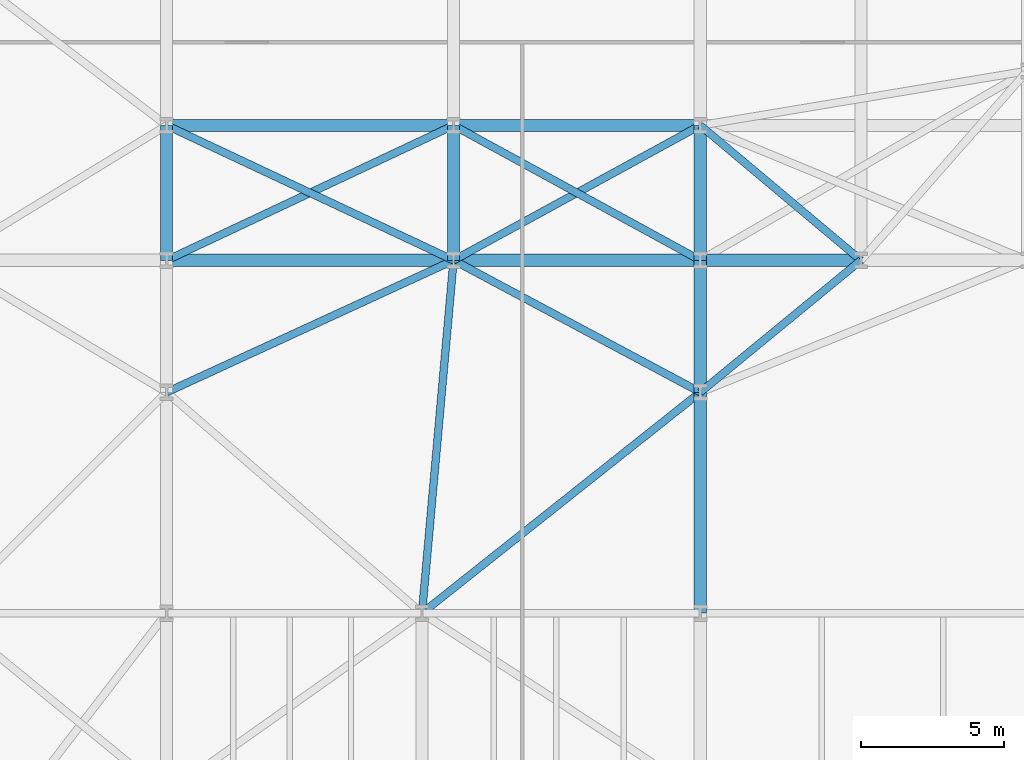
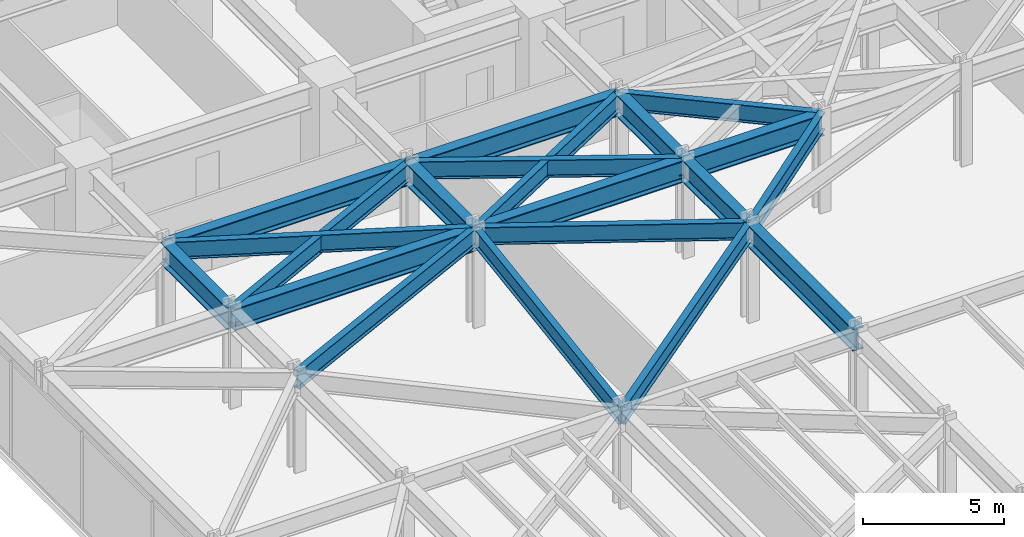
# One storey, part 11 of 28: 20 beams.
"""IFC4 building model written with IfcOpenShell, lengths in metres."""

from ifc_helpers import new_model, si_unit, direction, frame, origin, origin_2d, place, context, subcontext, project, spatial, i_section, extrude, material, material_profile, profile_set, type_object, element, save


model = new_model("IFC4")

# Units and contexts
model_context = context("Model", 3, precision=1e-05, world=origin(), true_north=direction((0.0, 1.0)))
body_context = subcontext(model_context, "Body", "Model", "MODEL_VIEW")
ifc_project = project(units=[si_unit("LENGTHUNIT", "METRE"), si_unit("AREAUNIT", "SQUARE_METRE"), si_unit("VOLUMEUNIT", "CUBIC_METRE"), si_unit("PLANEANGLEUNIT", "RADIAN"), si_unit("MASSUNIT", "GRAM", prefix="KILO")], contexts=[model_context])

# Site, building, storey
site_placement = place(None, origin())
site = spatial("IfcSite", under=ifc_project, at=site_placement, CompositionType="ELEMENT")
building_placement = place(site_placement, origin())
building = spatial("IfcBuilding", under=site, at=building_placement, Name="Kravanh Interchange Tower", CompositionType="ELEMENT")
storey_placement = place(building_placement, frame((0.0, 0.0, 15.300048828125)))
storey = spatial("IfcBuildingStorey", under=building, at=storey_placement, Name="L03", CompositionType="ELEMENT", Elevation=15.300048828125)

# Beams
ifc_material_1 = material(Name="Structural Steel S450", Category="steel")
ifc_material_profile_1 = material_profile(ifc_material_1, i_section(OverallWidth=0.423095703125, OverallDepth=0.947998046875, WebThickness=0.02392578125, FlangeThickness=0.042724609375, FilletRadius=0.028076171875, at=origin_2d()), Name="W36X302")
ifc_profile_set_1 = profile_set([ifc_material_profile_1], Name="Structural Steel S450")
beam_type_1 = type_object("IfcBeamType", Name="Floor Beam W36X302 Structural Steel S450", PredefinedType="BEAM", material=ifc_profile_set_1)
beam_1_placement = place(storey_placement, frame((27.199951171875, 14.5, 3.755859375), z_axis=(0.0, 1.0, 0.0), x_axis=(-1.0, 0.0, 0.0)))
element("IfcBeam", 1, at=beam_1_placement, inside=storey, type_object=beam_type_1, Name="L03 Primary Floor Girder 45", PredefinedType="BEAM", context=body_context, shape_type="SweptSolid", body=[
    extrude(i_section(OverallWidth=0.423095703125, OverallDepth=0.947998046875, WebThickness=0.02392578125, FlangeThickness=0.042724609375, FilletRadius=0.028076171875, at=origin_2d()), origin(), (0.0, 0.0, 1.0), 7.699951171875),
])
beam_2_placement = place(storey_placement, frame((27.199951171875, 22.199951171875, 3.755859375), z_axis=(0.0, 1.0, 0.0), x_axis=(-1.0, 0.0, 0.0)))
element("IfcBeam", 2, at=beam_2_placement, inside=storey, type_object=beam_type_1, Name="L03 Primary Floor Girder 61", PredefinedType="BEAM", context=body_context, shape_type="SweptSolid", body=[
    extrude(i_section(OverallWidth=0.423095703125, OverallDepth=0.947998046875, WebThickness=0.02392578125, FlangeThickness=0.042724609375, FilletRadius=0.028076171875, at=origin_2d()), origin(), (0.0, 0.0, 1.0), 4.60009765625),
])
beam_3_placement = place(storey_placement, frame((8.60009765625, 26.800048828125, 3.755859375), z_axis=(0.0, 1.0, 0.0), x_axis=(-1.0, 0.0, 0.0)))
element("IfcBeam", 3, at=beam_3_placement, inside=storey, type_object=beam_type_1, Name="L03 Primary Floor Girder 73", PredefinedType="BEAM", context=body_context, shape_type="SweptSolid", body=[
    extrude(i_section(OverallWidth=0.423095703125, OverallDepth=0.947998046875, WebThickness=0.02392578125, FlangeThickness=0.042724609375, FilletRadius=0.028076171875, at=origin_2d()), origin(), (0.0, 0.0, 1.0), 4.699951171875),
])
beam_4_placement = place(storey_placement, frame((8.60009765625, 26.800048828125, 3.755859375), z_axis=(1.0, 0.0, 0.0), x_axis=(0.0, 1.0, 0.0)))
element("IfcBeam", 4, at=beam_4_placement, inside=storey, type_object=beam_type_1, Name="L03 Primary Floor Girder 75", PredefinedType="BEAM", context=body_context, shape_type="SweptSolid", body=[
    extrude(i_section(OverallWidth=0.423095703125, OverallDepth=0.947998046875, WebThickness=0.02392578125, FlangeThickness=0.042724609375, FilletRadius=0.028076171875, at=origin_2d()), origin(), (0.0, 0.0, 1.0), 10.0),
])
beam_5_placement = place(storey_placement, frame((18.60009765625, 26.800048828125, 3.755859375), z_axis=(0.0, 1.0, 0.0), x_axis=(-1.0, 0.0, 0.0)))
element("IfcBeam", 5, at=beam_5_placement, inside=storey, type_object=beam_type_1, Name="L03 Primary Floor Girder 77", PredefinedType="BEAM", context=body_context, shape_type="SweptSolid", body=[
    extrude(i_section(OverallWidth=0.423095703125, OverallDepth=0.947998046875, WebThickness=0.02392578125, FlangeThickness=0.042724609375, FilletRadius=0.028076171875, at=origin_2d()), origin(), (0.0, 0.0, 1.0), 4.699951171875),
])
beam_6_placement = place(storey_placement, frame((18.60009765625, 26.800048828125, 3.755859375), z_axis=(1.0, 0.0, 0.0), x_axis=(0.0, 1.0, 0.0)))
element("IfcBeam", 6, at=beam_6_placement, inside=storey, type_object=beam_type_1, Name="L03 Primary Floor Girder 78", PredefinedType="BEAM", context=body_context, shape_type="SweptSolid", body=[
    extrude(i_section(OverallWidth=0.423095703125, OverallDepth=0.947998046875, WebThickness=0.02392578125, FlangeThickness=0.042724609375, FilletRadius=0.028076171875, at=origin_2d()), origin(), (0.0, 0.0, 1.0), 8.599853515625),
])
beam_7_placement = place(storey_placement, frame((27.199951171875, 26.800048828125, 3.755859375), z_axis=(0.0, 1.0, 0.0), x_axis=(-1.0, 0.0, 0.0)))
element("IfcBeam", 7, at=beam_7_placement, inside=storey, type_object=beam_type_1, Name="L03 Primary Floor Girder 81", PredefinedType="BEAM", context=body_context, shape_type="SweptSolid", body=[
    extrude(i_section(OverallWidth=0.423095703125, OverallDepth=0.947998046875, WebThickness=0.02392578125, FlangeThickness=0.042724609375, FilletRadius=0.028076171875, at=origin_2d()), origin(), (0.0, 0.0, 1.0), 4.699951171875),
])
beam_8_placement = place(storey_placement, frame((27.199951171875, 26.800048828125, 3.755859375), z_axis=(1.0, 0.0, 0.0), x_axis=(0.0, 1.0, 0.0)))
element("IfcBeam", 8, at=beam_8_placement, inside=storey, type_object=beam_type_1, Name="L03 Primary Floor Girder 82", PredefinedType="BEAM", context=body_context, shape_type="SweptSolid", body=[
    extrude(i_section(OverallWidth=0.423095703125, OverallDepth=0.947998046875, WebThickness=0.02392578125, FlangeThickness=0.042724609375, FilletRadius=0.028076171875, at=origin_2d()), origin(), (0.0, 0.0, 1.0), 5.60009765625),
])
beam_9_placement = place(storey_placement, frame((8.60009765625, 31.5, 3.755859375), z_axis=(1.0, 0.0, 0.0), x_axis=(0.0, 1.0, 0.0)))
element("IfcBeam", 9, at=beam_9_placement, inside=storey, type_object=beam_type_1, Name="L03 Primary Floor Girder 107", PredefinedType="BEAM", context=body_context, shape_type="SweptSolid", body=[
    extrude(i_section(OverallWidth=0.423095703125, OverallDepth=0.947998046875, WebThickness=0.02392578125, FlangeThickness=0.042724609375, FilletRadius=0.028076171875, at=origin_2d()), origin(), (0.0, 0.0, 1.0), 10.0),
])
beam_10_placement = place(storey_placement, frame((18.60009765625, 31.5, 3.755859375), z_axis=(1.0, 0.0, 0.0), x_axis=(0.0, 1.0, 0.0)))
element("IfcBeam", 10, at=beam_10_placement, inside=storey, type_object=beam_type_1, Name="L03 Primary Floor Girder 109", PredefinedType="BEAM", context=body_context, shape_type="SweptSolid", body=[
    extrude(i_section(OverallWidth=0.423095703125, OverallDepth=0.947998046875, WebThickness=0.02392578125, FlangeThickness=0.042724609375, FilletRadius=0.028076171875, at=origin_2d()), origin(), (0.0, 0.0, 1.0), 8.599853515625),
])
ifc_material_2 = material(Name="Structural Steel S355", Category="steel")
ifc_material_profile_2 = material_profile(ifc_material_2, i_section(OverallWidth=0.26708984375, OverallDepth=0.761962890625, WebThickness=0.014404296875, FlangeThickness=0.021484375, FilletRadius=0.02490234375, at=origin_2d()), Name="W30X116")
ifc_profile_set_2 = profile_set([ifc_material_profile_2], Name="Structural Steel S355")
beam_type_2 = type_object("IfcBeamType", Name="Floor Spandrel W30X116 Structural Steel S355", PredefinedType="SPANDREL", material=ifc_profile_set_2)
beam_11_placement = place(storey_placement, frame((17.5, 14.5, 3.848876953125), z_axis=(0.089082890706, 0.996024215862, 0.0), x_axis=(-0.996024215862, 0.089082890706, 0.0)))
element("IfcBeam", 11, at=beam_11_placement, inside=storey, type_object=beam_type_2, Name="L03 Perimeter Spandrel 43", PredefinedType="SPANDREL", context=body_context, shape_type="SweptSolid", body=[
    extrude(i_section(OverallWidth=0.26708984375, OverallDepth=0.761962890625, WebThickness=0.014404296875, FlangeThickness=0.021484375, FilletRadius=0.02490234375, at=origin_2d()), origin(), (0.0, 0.0, 1.0), 12.34912109375),
])
beam_12_placement = place(storey_placement, frame((17.5, 14.5, 3.848876953125), z_axis=(0.78322688578, 0.621735993321, 0.0), x_axis=(-0.621735993321, 0.78322688578, 0.0)))
element("IfcBeam", 12, at=beam_12_placement, inside=storey, type_object=beam_type_2, Name="L03 Perimeter Spandrel 44", PredefinedType="SPANDREL", context=body_context, shape_type="SweptSolid", body=[
    extrude(i_section(OverallWidth=0.26708984375, OverallDepth=0.761962890625, WebThickness=0.014404296875, FlangeThickness=0.021484375, FilletRadius=0.02490234375, at=origin_2d()), origin(), (0.0, 0.0, 1.0), 12.384521484375),
])
beam_13_placement = place(storey_placement, frame((8.60009765625, 22.199951171875, 3.848876953125), z_axis=(0.908487084298, 0.417912930721, 0.0), x_axis=(-0.417912930721, 0.908487084298, 0.0)))
element("IfcBeam", 13, at=beam_13_placement, inside=storey, type_object=beam_type_2, Name="L03 Perimeter Spandrel 60", PredefinedType="SPANDREL", context=body_context, shape_type="SweptSolid", body=[
    extrude(i_section(OverallWidth=0.26708984375, OverallDepth=0.761962890625, WebThickness=0.014404296875, FlangeThickness=0.021484375, FilletRadius=0.02490234375, at=origin_2d()), origin(), (0.0, 0.0, 1.0), 11.00732421875),
])
beam_14_placement = place(storey_placement, frame((27.199951171875, 22.199951171875, 3.848876953125), z_axis=(0.772725074305, 0.634740860147, 0.0), x_axis=(-0.634740860147, 0.772725074305, 0.0)))
element("IfcBeam", 14, at=beam_14_placement, inside=storey, type_object=beam_type_2, Name="L03 Perimeter Spandrel 62", PredefinedType="SPANDREL", context=body_context, shape_type="SweptSolid", body=[
    extrude(i_section(OverallWidth=0.26708984375, OverallDepth=0.761962890625, WebThickness=0.014404296875, FlangeThickness=0.021484375, FilletRadius=0.02490234375, at=origin_2d()), origin(), (0.0, 0.0, 1.0), 7.247314453125),
])
beam_15_placement = place(storey_placement, frame((27.199951171875, 22.199951171875, 3.848876953125), z_axis=(-0.881777136221, 0.471666282489, 0.0), x_axis=(-0.471666282489, -0.881777136221, 0.0)))
element("IfcBeam", 15, at=beam_15_placement, inside=storey, type_object=beam_type_2, Name="L03 Perimeter Spandrel 63", PredefinedType="SPANDREL", context=body_context, shape_type="SweptSolid", body=[
    extrude(i_section(OverallWidth=0.26708984375, OverallDepth=0.761962890625, WebThickness=0.014404296875, FlangeThickness=0.021484375, FilletRadius=0.02490234375, at=origin_2d()), origin(), (0.0, 0.0, 1.0), 9.7529296875),
])
beam_16_placement = place(storey_placement, frame((8.60009765625, 26.800048828125, 3.848876953125), z_axis=(0.905025402916, 0.425357520301, 0.0), x_axis=(-0.425357520301, 0.905025402916, 0.0)))
element("IfcBeam", 16, at=beam_16_placement, inside=storey, type_object=beam_type_2, Name="L03 Perimeter Spandrel 76", PredefinedType="SPANDREL", context=body_context, shape_type="SweptSolid", body=[
    extrude(i_section(OverallWidth=0.26708984375, OverallDepth=0.761962890625, WebThickness=0.014404296875, FlangeThickness=0.021484375, FilletRadius=0.02490234375, at=origin_2d()), origin(), (0.0, 0.0, 1.0), 11.04931640625),
])
beam_17_placement = place(storey_placement, frame((18.60009765625, 26.800048828125, 3.848876953125), z_axis=(0.877503996342, 0.479569323877, 0.0), x_axis=(-0.479569323877, 0.877503996342, 0.0)))
element("IfcBeam", 17, at=beam_17_placement, inside=storey, type_object=beam_type_2, Name="L03 Perimeter Spandrel 79", PredefinedType="SPANDREL", context=body_context, shape_type="SweptSolid", body=[
    extrude(i_section(OverallWidth=0.26708984375, OverallDepth=0.761962890625, WebThickness=0.014404296875, FlangeThickness=0.021484375, FilletRadius=0.02490234375, at=origin_2d()), origin(), (0.0, 0.0, 1.0), 9.80029296875),
])
beam_18_placement = place(storey_placement, frame((18.60009765625, 26.800048828125, 3.848876953125), z_axis=(-0.905025402916, 0.425357520301, 0.0), x_axis=(-0.425357520301, -0.905025402916, 0.0)))
element("IfcBeam", 18, at=beam_18_placement, inside=storey, type_object=beam_type_2, Name="L03 Perimeter Spandrel 80", PredefinedType="SPANDREL", context=body_context, shape_type="SweptSolid", body=[
    extrude(i_section(OverallWidth=0.26708984375, OverallDepth=0.761962890625, WebThickness=0.014404296875, FlangeThickness=0.021484375, FilletRadius=0.02490234375, at=origin_2d()), origin(), (0.0, 0.0, 1.0), 11.04931640625),
])
beam_19_placement = place(storey_placement, frame((27.199951171875, 26.800048828125, 3.848876953125), z_axis=(-0.877503996342, 0.479569323877, 0.0), x_axis=(-0.479569323877, -0.877503996342, 0.0)))
element("IfcBeam", 19, at=beam_19_placement, inside=storey, type_object=beam_type_2, Name="L03 Perimeter Spandrel 83", PredefinedType="SPANDREL", context=body_context, shape_type="SweptSolid", body=[
    extrude(i_section(OverallWidth=0.26708984375, OverallDepth=0.761962890625, WebThickness=0.014404296875, FlangeThickness=0.021484375, FilletRadius=0.02490234375, at=origin_2d()), origin(), (0.0, 0.0, 1.0), 9.80029296875),
])
beam_20_placement = place(storey_placement, frame((32.800048828125, 26.800048828125, 3.848876953125), z_axis=(-0.765983062929, 0.642860752657, 0.0), x_axis=(-0.642860752657, -0.765983062929, 0.0)))
element("IfcBeam", 20, at=beam_20_placement, inside=storey, type_object=beam_type_2, Name="L03 Perimeter Spandrel 86", PredefinedType="SPANDREL", context=body_context, shape_type="SweptSolid", body=[
    extrude(i_section(OverallWidth=0.26708984375, OverallDepth=0.761962890625, WebThickness=0.014404296875, FlangeThickness=0.021484375, FilletRadius=0.02490234375, at=origin_2d()), origin(), (0.0, 0.0, 1.0), 7.31103515625),
])

save(model, "model.ifc")
